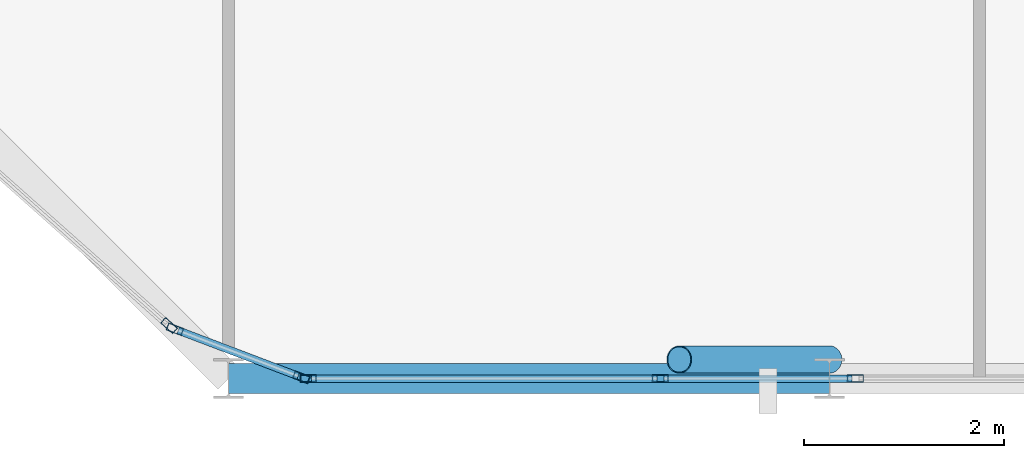
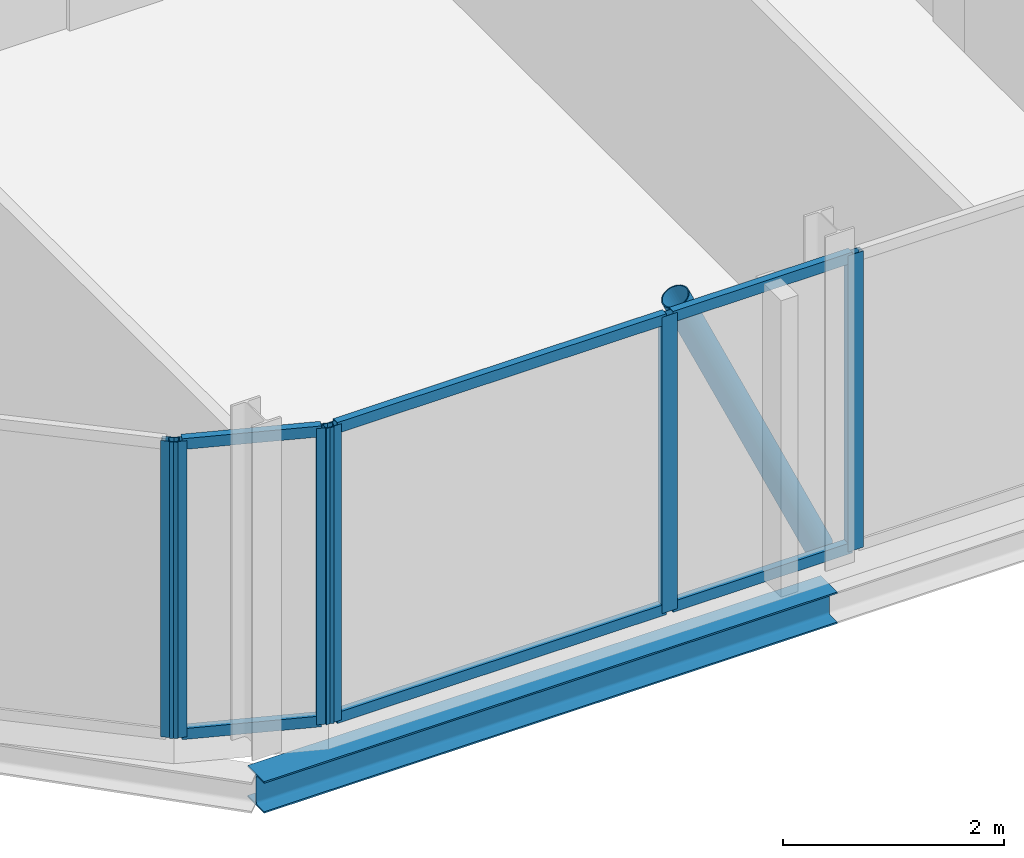
# One storey, part 6 of 27: 13 members, 1 beam, 5 elements without a shape of their own.
"""IFC4 building model written with IfcOpenShell, lengths in metres."""

from ifc_helpers import new_model, si_unit, direction, frame, origin, origin_2d, place, context, subcontext, project, spatial, hollow_rectangle, hollow_circle, i_section, extrude, material, layer, layer_set, material_profile, profile_set, type_object, element, aggregate, save


model = new_model("IFC4")

# Units and contexts
model_context = context("Model", 3, precision=1e-05, world=origin(), true_north=direction((0.0, 1.0)))
body_context = subcontext(model_context, "Body", "Model", "MODEL_VIEW")
ifc_project = project(units=[si_unit("LENGTHUNIT", "METRE"), si_unit("AREAUNIT", "SQUARE_METRE"), si_unit("VOLUMEUNIT", "CUBIC_METRE"), si_unit("PLANEANGLEUNIT", "RADIAN"), si_unit("MASSUNIT", "GRAM", prefix="KILO")], contexts=[model_context])

# Site, building, storey
site_placement = place(None, origin())
site = spatial("IfcSite", under=ifc_project, at=site_placement, CompositionType="ELEMENT")
building_placement = place(site_placement, origin())
building = spatial("IfcBuilding", under=site, at=building_placement, Name="Keshet Zoharim Tower", CompositionType="ELEMENT")
storey_placement = place(building_placement, frame((0.0, 0.0, 311.0)))
storey = spatial("IfcBuildingStorey", under=building, at=storey_placement, Name="L78", CompositionType="ELEMENT", Elevation=311.0)

# Beam
ifc_material_1 = material(Name="Steel S355", Category="steel")
ifc_material_profile_1 = material_profile(ifc_material_1, i_section(OverallWidth=0.300048828125, OverallDepth=0.35009765625, WebThickness=0.010009765625, FlangeThickness=0.017578125, FilletRadius=0.027099609375, at=origin_2d()), Name="HEA360")
ifc_profile_set_1 = profile_set([ifc_material_profile_1], Name="Steel S355")
beam_type = type_object("IfcBeamType", Name="BM-PRI-HA360", PredefinedType="BEAM", material=ifc_profile_set_1)
beam_placement = place(storey_placement, frame((21.0, 6.699951171875, -0.485107421875), z_axis=(1.0, 0.0, 0.0), x_axis=(0.0, 1.0, 0.0)))
element("IfcBeam", 1, at=beam_placement, inside=storey, type_object=beam_type, Name="L78 Primary Girder X-001", PredefinedType="BEAM", context=body_context, shape_type="SweptSolid", body=[
    extrude(i_section(OverallWidth=0.300048828125, OverallDepth=0.35009765625, WebThickness=0.010009765625, FlangeThickness=0.017578125, FilletRadius=0.027099609375, at=origin_2d()), origin(), (0.0, 0.0, 1.0), 6.0),
])

# Curtain wall, member
ifc_material_2 = material(Name="Aluminium 6063-T6", Category="aluminium")
ifc_layer = layer(ifc_material_2, 0.260009765625)
ifc_layer_set = layer_set([ifc_layer], Name="Aluminium 6063-T6")
curtain_wall_type = type_object("IfcCurtainWallType", Name="CW-SYS-06", PredefinedType="NOTDEFINED", material=ifc_layer_set)
curtain_wall_1_placement = place(storey_placement, origin())
curtain_wall_1 = element("IfcCurtainWall", 2, at=curtain_wall_1_placement, inside=storey, type_object=curtain_wall_type, Name="L78 Unitised Curtain Wall 14", PredefinedType="NOTDEFINED")
ifc_material_profile_2 = material_profile(ifc_material_2, hollow_rectangle(XDim=0.074951171875, YDim=0.159912109375, WallThickness=0.00390625, at=origin_2d()), Name="MUL-75x160")
ifc_profile_set_2 = profile_set([ifc_material_profile_2], Name="Aluminium 6063-T6")
member_type_1 = type_object("IfcMemberType", Name="CWM-M15", PredefinedType="MULLION", material=ifc_profile_set_2)
member_1_placement = place(storey_placement, frame((27.259033203125, 6.699951171875, 0.0), z_axis=(0.0, 0.0, 1.0), x_axis=(0.0, -1.0, 0.0)))
member_1 = element("IfcMember", 3, at=member_1_placement, type_object=member_type_1, Name="CW-06 mullion 2", PredefinedType="MULLION", context=body_context, shape_type="SweptSolid", body=[
    extrude(hollow_rectangle(XDim=0.074951171875, YDim=0.159912109375, WallThickness=0.00390625, at=origin_2d()), origin(), (0.0, 0.0, 1.0), 3.280029296875),
])
aggregate(curtain_wall_1, [member_1])

curtain_wall_2_placement = place(storey_placement, origin())
curtain_wall_2 = element("IfcCurtainWall", 4, at=curtain_wall_2_placement, inside=storey, type_object=curtain_wall_type, Name="L78 Unitised Curtain Wall 14 Part 2", PredefinedType="NOTDEFINED")
member_2_placement = place(storey_placement, frame((25.310791015625, 6.699951171875, 0.0), z_axis=(0.0, 0.0, 1.0), x_axis=(0.0, -1.0, 0.0)))
member_2 = element("IfcMember", 5, at=member_2_placement, type_object=member_type_1, Name="CW-06 mullion 2", PredefinedType="MULLION", context=body_context, shape_type="SweptSolid", body=[
    extrude(hollow_rectangle(XDim=0.074951171875, YDim=0.159912109375, WallThickness=0.00390625, at=origin_2d()), origin(), (0.0, 0.0, 1.0), 3.280029296875),
])

curtain_wall_3_placement = place(storey_placement, origin())
curtain_wall_3 = element("IfcCurtainWall", 6, at=curtain_wall_3_placement, inside=storey, type_object=curtain_wall_type, Name="L78 Unitised Curtain Wall 14 Part 3", PredefinedType="NOTDEFINED")
member_3_placement = place(storey_placement, frame((21.794921875, 6.699951171875, 0.0), z_axis=(0.0, 0.0, 1.0), x_axis=(0.0, -1.0, 0.0)))
member_3 = element("IfcMember", 7, at=member_3_placement, type_object=member_type_1, Name="CW-06 mullion 2", PredefinedType="MULLION", context=body_context, shape_type="SweptSolid", body=[
    extrude(hollow_rectangle(XDim=0.074951171875, YDim=0.159912109375, WallThickness=0.00390625, at=origin_2d()), origin(), (0.0, 0.0, 1.0), 3.280029296875),
])

# Curtain wall, members
curtain_wall_4_placement = place(storey_placement, origin())
curtain_wall_4 = element("IfcCurtainWall", 8, at=curtain_wall_4_placement, inside=storey, type_object=curtain_wall_type, Name="L78 Unitised Curtain Wall 15", PredefinedType="NOTDEFINED")
member_4_placement = place(storey_placement, frame((21.727294921875, 6.71240234375, 0.0), z_axis=(0.0, 0.0, 1.0), x_axis=(-0.355439161326, -0.934699418314, 0.0)))
member_4 = element("IfcMember", 9, at=member_4_placement, type_object=member_type_1, Name="CW-06 mullion 1", PredefinedType="MULLION", context=body_context, shape_type="SweptSolid", body=[
    extrude(hollow_rectangle(XDim=0.074951171875, YDim=0.159912109375, WallThickness=0.00390625, at=origin_2d()), origin(), (0.0, 0.0, 1.0), 3.280029296875),
])
member_5_placement = place(storey_placement, frame((20.464599609375, 7.192626953125, 0.0), z_axis=(0.0, 0.0, 1.0), x_axis=(-0.355439161326, -0.934699418314, 0.0)))
member_5 = element("IfcMember", 10, at=member_5_placement, type_object=member_type_1, Name="CW-06 mullion 2", PredefinedType="MULLION", context=body_context, shape_type="SweptSolid", body=[
    extrude(hollow_rectangle(XDim=0.074951171875, YDim=0.159912109375, WallThickness=0.00390625, at=origin_2d()), origin(), (0.0, 0.0, 1.0), 3.280029296875),
])

# Curtain wall, member
curtain_wall_5_placement = place(storey_placement, origin())
curtain_wall_5 = element("IfcCurtainWall", 11, at=curtain_wall_5_placement, inside=storey, type_object=curtain_wall_type, Name="L78 Unitised Curtain Wall 16", PredefinedType="NOTDEFINED")
member_6_placement = place(storey_placement, frame((20.40576171875, 7.228271484375, 0.0), z_axis=(0.0, 0.0, 1.0), x_axis=(-0.664358864426, -0.747413740347, 0.0)))
member_6 = element("IfcMember", 12, at=member_6_placement, type_object=member_type_1, Name="CW-06 mullion 1", PredefinedType="MULLION", context=body_context, shape_type="SweptSolid", body=[
    extrude(hollow_rectangle(XDim=0.074951171875, YDim=0.159912109375, WallThickness=0.00390625, at=origin_2d()), origin(), (0.0, 0.0, 1.0), 3.280029296875),
])
aggregate(curtain_wall_5, [member_6])

# Member
ifc_material_profile_3 = material_profile(ifc_material_2, hollow_rectangle(XDim=0.074951171875, YDim=0.1201171875, WallThickness=0.00390625, at=origin_2d()), Name="TRN-75x120")
ifc_profile_set_3 = profile_set([ifc_material_profile_3], Name="Aluminium 6063-T6")
member_type_2 = type_object("IfcMemberType", Name="CWT-T12", PredefinedType="USERDEFINED", material=ifc_profile_set_3)
member_7_placement = place(storey_placement, frame((27.22412109375, 6.699951171875, 0.034912109375), z_axis=(-1.0, 0.0, 0.0), x_axis=(0.0, -1.0, 0.0)))
member_7 = element("IfcMember", 13, at=member_7_placement, type_object=member_type_2, Name="CW-06 transom 1.1", ObjectType="TRANSOM", PredefinedType="USERDEFINED", context=body_context, shape_type="SweptSolid", body=[
    extrude(hollow_rectangle(XDim=0.074951171875, YDim=0.1201171875, WallThickness=0.00390625, at=origin_2d()), origin(), (0.0, 0.0, 1.0), 1.878173828125),
])

member_8_placement = place(storey_placement, frame((27.22412109375, 6.699951171875, 3.2451171875), z_axis=(-1.0, 0.0, 0.0), x_axis=(0.0, -1.0, 0.0)))
member_8 = element("IfcMember", 14, at=member_8_placement, type_object=member_type_2, Name="CW-06 transom 1.2", ObjectType="TRANSOM", PredefinedType="USERDEFINED", context=body_context, shape_type="SweptSolid", body=[
    extrude(hollow_rectangle(XDim=0.074951171875, YDim=0.1201171875, WallThickness=0.00390625, at=origin_2d()), origin(), (0.0, 0.0, 1.0), 1.878173828125),
])

aggregate(curtain_wall_2, [member_2, member_7, member_8])

member_9_placement = place(storey_placement, frame((25.27587890625, 6.699951171875, 0.034912109375), z_axis=(-1.0, 0.0, 0.0), x_axis=(0.0, -1.0, 0.0)))
member_9 = element("IfcMember", 15, at=member_9_placement, type_object=member_type_2, Name="CW-06 transom 1.1", ObjectType="TRANSOM", PredefinedType="USERDEFINED", context=body_context, shape_type="SweptSolid", body=[
    extrude(hollow_rectangle(XDim=0.074951171875, YDim=0.1201171875, WallThickness=0.00390625, at=origin_2d()), origin(), (0.0, 0.0, 1.0), 3.44580078125),
])

member_10_placement = place(storey_placement, frame((25.27587890625, 6.699951171875, 3.2451171875), z_axis=(-1.0, 0.0, 0.0), x_axis=(0.0, -1.0, 0.0)))
member_10 = element("IfcMember", 16, at=member_10_placement, type_object=member_type_2, Name="CW-06 transom 1.2", ObjectType="TRANSOM", PredefinedType="USERDEFINED", context=body_context, shape_type="SweptSolid", body=[
    extrude(hollow_rectangle(XDim=0.074951171875, YDim=0.1201171875, WallThickness=0.00390625, at=origin_2d()), origin(), (0.0, 0.0, 1.0), 3.44580078125),
])

aggregate(curtain_wall_3, [member_3, member_9, member_10])

member_11_placement = place(storey_placement, frame((21.694580078125, 6.724853515625, 0.034912109375), z_axis=(-0.934689881536, 0.355464239206, 0.0), x_axis=(-0.355464239206, -0.934689881536, 0.0)))
member_11 = element("IfcMember", 17, at=member_11_placement, type_object=member_type_2, Name="CW-06 transom 1.1", ObjectType="TRANSOM", PredefinedType="USERDEFINED", context=body_context, shape_type="SweptSolid", body=[
    extrude(hollow_rectangle(XDim=0.074951171875, YDim=0.1201171875, WallThickness=0.00390625, at=origin_2d()), origin(), (0.0, 0.0, 1.0), 1.281005859375),
])

member_12_placement = place(storey_placement, frame((21.694580078125, 6.724853515625, 3.2451171875), z_axis=(-0.934689881536, 0.355464239206, 0.0), x_axis=(-0.355464239206, -0.934689881536, 0.0)))
member_12 = element("IfcMember", 18, at=member_12_placement, type_object=member_type_2, Name="CW-06 transom 1.2", ObjectType="TRANSOM", PredefinedType="USERDEFINED", context=body_context, shape_type="SweptSolid", body=[
    extrude(hollow_rectangle(XDim=0.074951171875, YDim=0.1201171875, WallThickness=0.00390625, at=origin_2d()), origin(), (0.0, 0.0, 1.0), 1.281005859375),
])

aggregate(curtain_wall_4, [member_4, member_5, member_11, member_12])

ifc_material_profile_4 = material_profile(ifc_material_1, hollow_circle(Radius=0.136474609375, WallThickness=0.010009765625, at=origin_2d()), Name="CHS273x10")
ifc_profile_set_4 = profile_set([ifc_material_profile_4], Name="Steel S355")
member_type_3 = type_object("IfcMemberType", Name="MB-BR-C273", PredefinedType="BRACE", material=ifc_profile_set_4)
member_13_placement = place(storey_placement, frame((27.0, 6.889892578125, 0.0), z_axis=(-0.415887731958, 0.0, 0.909415963356), x_axis=(0.0, -1.0, 0.0)))
element("IfcMember", 19, at=member_13_placement, inside=storey, type_object=member_type_3, Name="L78 Perimeter Tube Brace 02", PredefinedType="BRACE", context=body_context, shape_type="SweptSolid", body=[
    extrude(hollow_circle(Radius=0.136474609375, WallThickness=0.010009765625, at=origin_2d()), origin(), (0.0, 0.0, 1.0), 3.606689453125),
])

save(model, "model.ifc")
